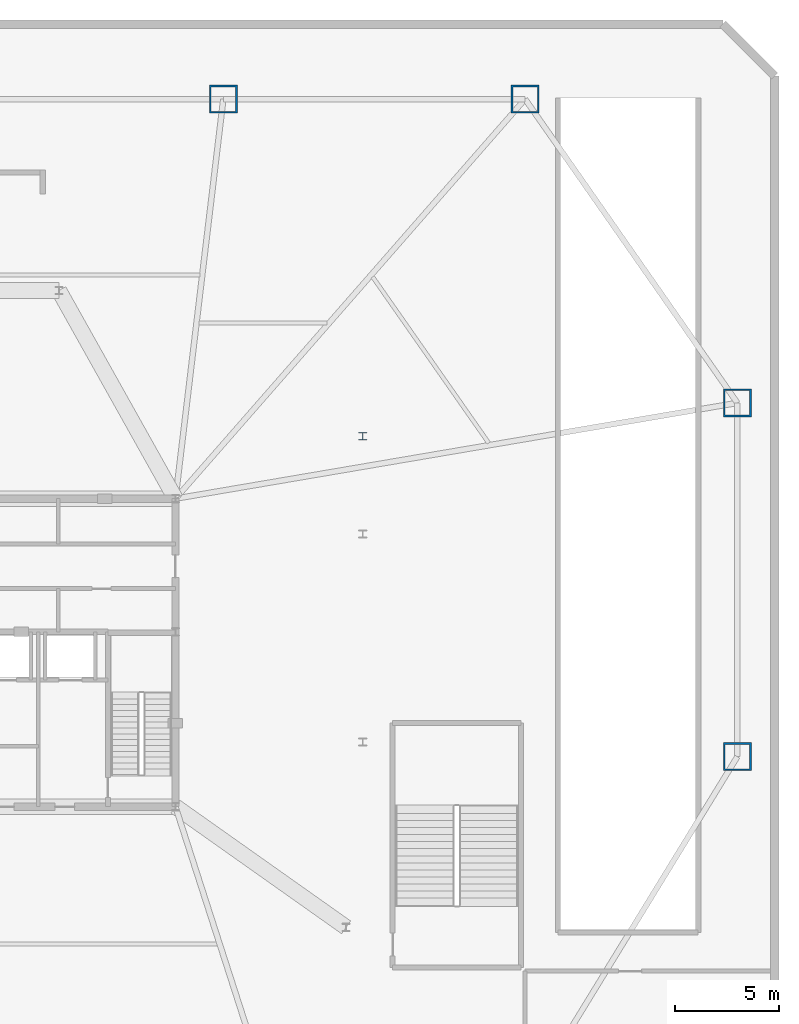
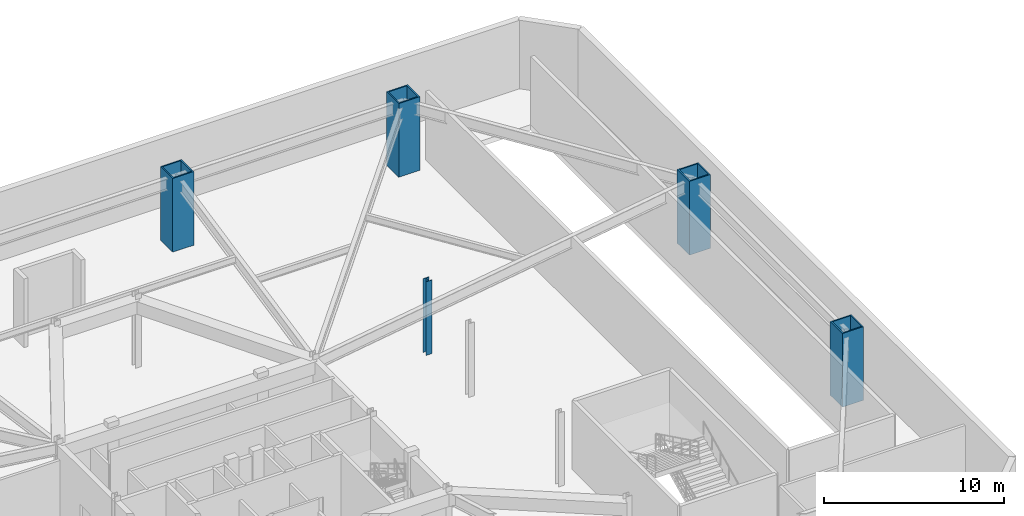
# One storey, part 4 of 9: 5 columns.
"""IFC4 building model written with IfcOpenShell, lengths in metres."""

from ifc_helpers import new_model, si_unit, direction, frame, origin, origin_2d, place, context, subcontext, project, spatial, hollow_rectangle, i_section, extrude, material, material_profile, profile_set, type_object, element, save


model = new_model("IFC4")

# Units and contexts
model_context = context("Model", 3, precision=1e-05, world=origin(), true_north=direction((0.0, 1.0)))
body_context = subcontext(model_context, "Body", "Model", "MODEL_VIEW")
ifc_project = project(units=[si_unit("LENGTHUNIT", "METRE"), si_unit("AREAUNIT", "SQUARE_METRE"), si_unit("VOLUMEUNIT", "CUBIC_METRE"), si_unit("PLANEANGLEUNIT", "RADIAN"), si_unit("MASSUNIT", "GRAM", prefix="KILO")], contexts=[model_context])

# Site, building, storey
site_placement = place(None, origin())
site = spatial("IfcSite", under=ifc_project, at=site_placement, CompositionType="ELEMENT")
building_placement = place(site_placement, origin())
building = spatial("IfcBuilding", under=site, at=building_placement, Name="Varakhsha Concourse Tower", CompositionType="ELEMENT")
storey_placement = place(building_placement, frame((0.0, 0.0, -5.0)))
storey = spatial("IfcBuildingStorey", under=building, at=storey_placement, Name="B01", CompositionType="ELEMENT", Elevation=-5.0)

# Columns
ifc_material_1 = material(Name="Structural Steel ASTM A992 Grade 50", Category="steel")
ifc_material_profile_1 = material_profile(ifc_material_1, i_section(OverallWidth=0.368896484375, OverallDepth=0.35595703125, WebThickness=0.010986328125, FlangeThickness=0.01806640625, at=origin_2d()), Name="W14X90")
ifc_profile_set_1 = profile_set([ifc_material_profile_1], Name="Structural Steel ASTM A992 Grade 50")
column_type_1 = type_object("IfcColumnType", Name="CL-POD-W14X90", PredefinedType="COLUMN", material=ifc_profile_set_1)
column_placement = place(storey_placement, frame((57.199951171875, 34.199951171875, 0.0), z_axis=(0.0, 0.0, 1.0), x_axis=(1.0, 0.0, 0.0)))
element("IfcColumn", 1, at=column_placement, inside=storey, type_object=column_type_1, Name="B01 Substructure Column AUX-E3", PredefinedType="COLUMN", context=body_context, shape_type="SweptSolid", body=[
    extrude(i_section(OverallWidth=0.368896484375, OverallDepth=0.35595703125, WebThickness=0.010986328125, FlangeThickness=0.01806640625, at=origin_2d()), origin(), (0.0, 0.0, 1.0), 5.0),
])
ifc_material_2 = material(Name="Structural Steel ASTM A572 Grade 50", Category="steel")
ifc_material_profile_2 = material_profile(ifc_material_2, hollow_rectangle(XDim=1.35009765625, YDim=1.35009765625, WallThickness=0.0849609375, at=origin_2d()), Name="BOX 1350x1350x85")
ifc_profile_set_2 = profile_set([ifc_material_profile_2], Name="Structural Steel ASTM A572 Grade 50")
column_type_2 = type_object("IfcColumnType", Name="CL-STILT-1350", PredefinedType="COLUMN", material=ifc_profile_set_2)
for number, where, z_axis, x_axis, name in (
    (2, (75.199951171875, 18.800048828125, 0.0), (0.0, 0.0, 1.0), (1.0, 0.0, 0.0), "B01 Podium Mega-Column PC-E1"),
    (3, (75.199951171875, 35.800048828125, 0.0), (0.0, 0.0, 1.0), (1.0, 0.0, 0.0), "B01 Podium Mega-Column PC-E2"),
    (4, (50.5, 50.39990234375, 0.0), (0.0, 0.0, 1.0), (1.0, 0.0, 0.0), "B01 Podium Mega-Column PC-N3"),
    (5, (65.0, 50.39990234375, 0.0), (0.0, 0.0, 1.0), (1.0, 0.0, 0.0), "B01 Podium Mega-Column PC-N4"),
):
    element("IfcColumn", number, at=place(storey_placement, frame(where, z_axis=z_axis, x_axis=x_axis)), inside=storey, type_object=column_type_2, Name=name, PredefinedType="COLUMN", context=body_context, shape_type="SweptSolid", body=[
        extrude(hollow_rectangle(XDim=1.35009765625, YDim=1.35009765625, WallThickness=0.0849609375, at=origin_2d()), origin(), (0.0, 0.0, 1.0), 5.0),
    ])

save(model, "model.ifc")
